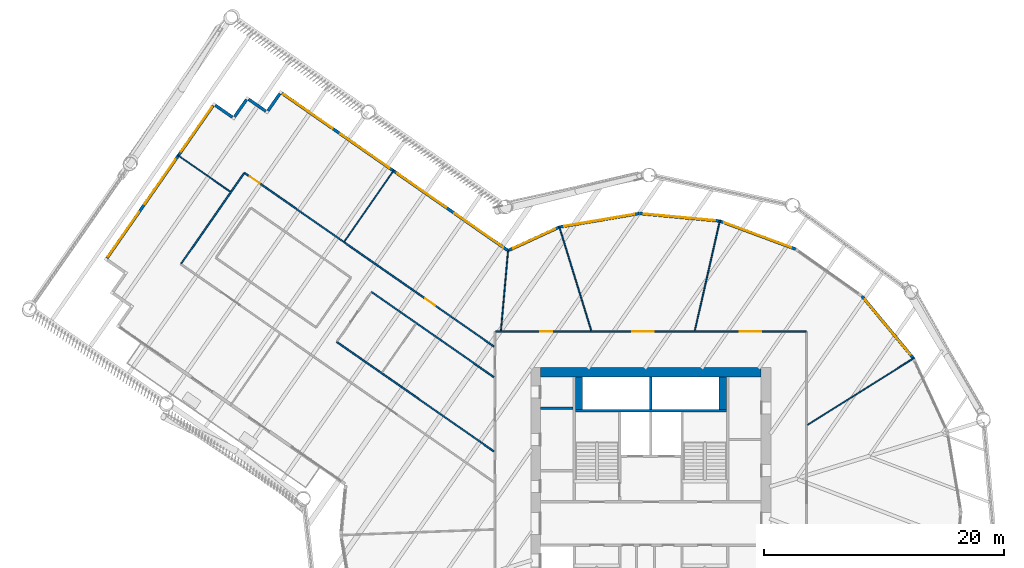
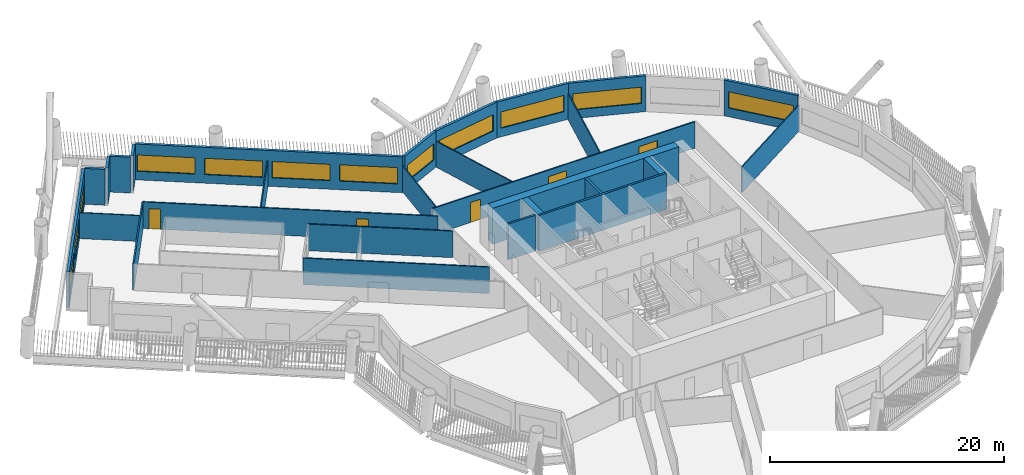
# One storey, part 7 of 23: 28 walls, 12 windows, 5 doors, 17 openings.
"""IFC4 building model written with IfcOpenShell, lengths in metres."""

from ifc_helpers import new_model, si_unit, direction, frame, frame_2d, origin, place, context, subcontext, project, spatial, rectangle, extrude, material, layer, layer_set, type_object, element, fill, save


model = new_model("IFC4")

# Units and contexts
model_context = context("Model", 3, precision=1e-05, world=origin(), true_north=direction((0.0, 1.0)))
body_context = subcontext(model_context, "Body", "Model", "MODEL_VIEW")
ifc_project = project(units=[si_unit("LENGTHUNIT", "METRE"), si_unit("AREAUNIT", "SQUARE_METRE"), si_unit("VOLUMEUNIT", "CUBIC_METRE"), si_unit("PLANEANGLEUNIT", "RADIAN"), si_unit("MASSUNIT", "GRAM", prefix="KILO")], contexts=[model_context])

# Site, building, storey
site_placement = place(None, origin())
site = spatial("IfcSite", under=ifc_project, at=site_placement, CompositionType="ELEMENT")
building_placement = place(site_placement, origin())
building = spatial("IfcBuilding", under=site, at=building_placement, Name="Tarsis Ring Headquarters", CompositionType="ELEMENT")
storey_placement = place(building_placement, frame((0.0, 0.0, 131.800048828125)))
storey = spatial("IfcBuildingStorey", under=building, at=storey_placement, Name="L30", CompositionType="ELEMENT", Elevation=131.800048828125)

# Walls
ifc_material_1 = material(Name="Blockwork", Category="masonry")
ifc_layer_1 = layer(ifc_material_1, 0.199951171875)
ifc_layer_set_1 = layer_set([ifc_layer_1], Name="Core blockwork wall 200")
wall_type_1 = type_object("IfcWallType", Name="Core blockwork wall 200", PredefinedType="PARTITIONING", material=ifc_layer_set_1)
wall_1_placement = place(storey_placement, frame((-9.199951171875, 9.60009765625, 0.0), z_axis=(0.0, 0.0, 1.0), x_axis=(1.0, 0.0, 0.0)))
element("IfcWall", 1, at=wall_1_placement, inside=storey, type_object=wall_type_1, Name="Core partition WD7", PredefinedType="PARTITIONING", context=body_context, shape_type="SweptSolid", body=[
    extrude(rectangle(XDim=2.699951171875, YDim=0.199951171875, at=frame_2d((1.35009765625, 0.0))), origin(), (0.0, 0.0, 1.0), 3.739990234375),
])
ifc_material_2 = material(Name="Concrete C60/75", Category="concrete")
ifc_layer_2 = layer(ifc_material_2, 0.800048828125)
ifc_layer_set_2 = layer_set([ifc_layer_2], Name="Core wall 800 C60/75")
wall_type_2 = type_object("IfcWallType", Name="Core wall 800 C60/75", PredefinedType="SHEAR", material=ifc_layer_set_2)
wall_2_placement = place(storey_placement, frame((-9.199951171875, 12.60009765625, 0.0), z_axis=(0.0, 0.0, 1.0), x_axis=(1.0, 0.0, 0.0)))
element("IfcWall", 2, at=wall_2_placement, inside=storey, type_object=wall_type_2, Name="Core wall ON", PredefinedType="SHEAR", context=body_context, shape_type="SweptSolid", body=[
    extrude(rectangle(XDim=18.39990234375, YDim=0.800048828125, at=frame_2d((9.199951171875, 0.0))), origin(), (0.0, 0.0, 1.0), 3.739990234375),
])
ifc_material_3 = material(Name="Gypsum board on steel studs", Category="steel")
ifc_layer_3 = layer(ifc_material_3, 0.10009765625)
ifc_layer_set_3 = layer_set([ifc_layer_3], Name="FL partition 100 unrated")
wall_type_3 = type_object("IfcWallType", Name="FL partition 100 unrated", PredefinedType="PARTITIONING", material=ifc_layer_set_3)
wall_3_placement = place(storey_placement, frame((13.076171875, 8.2216796875, 0.0), z_axis=(0.0, 0.0, 1.0), x_axis=(0.846557234457, 0.532297706916, 0.0)))
element("IfcWall", 3, at=wall_3_placement, inside=storey, type_object=wall_type_3, Name="Partition PW3", PredefinedType="PARTITIONING", context=body_context, shape_type="SweptSolid", body=[
    extrude(rectangle(XDim=10.501708984375, YDim=0.10009765625, at=frame_2d((5.2509765625, 0.0))), origin(), (0.0, 0.0, 1.0), 2.699951171875),
])
wall_4_placement = place(storey_placement, frame((3.662353515625, 16.068115234375, 0.0), z_axis=(0.0, 0.0, 1.0), x_axis=(0.22222960581, 0.974994360138, 0.0)))
element("IfcWall", 4, at=wall_4_placement, inside=storey, type_object=wall_type_3, Name="Partition PW3", PredefinedType="PARTITIONING", context=body_context, shape_type="SweptSolid", body=[
    extrude(rectangle(XDim=9.4677734375, YDim=0.10009765625, at=frame_2d((4.73388671875, 0.0))), origin(), (0.0, 0.0, 1.0), 2.699951171875),
])
wall_5_placement = place(storey_placement, frame((-7.65576171875, 24.792724609375, 0.0), z_axis=(0.0, 0.0, 1.0), x_axis=(0.295056915452, -0.955479678823, 0.0)))
element("IfcWall", 5, at=wall_5_placement, inside=storey, type_object=wall_type_3, Name="Partition PW3", PredefinedType="PARTITIONING", context=body_context, shape_type="SweptSolid", body=[
    extrude(rectangle(XDim=9.13232421875, YDim=0.10009765625, at=frame_2d((4.566162109375, 0.0))), origin(), (0.0, 0.0, 1.0), 2.699951171875),
])
wall_6_placement = place(storey_placement, frame((-25.5595703125, 23.529296875, 0.0), z_axis=(0.0, 0.0, 1.0), x_axis=(0.571287750688, 0.820749843688, 0.0)))
element("IfcWall", 6, at=wall_6_placement, inside=storey, type_object=wall_type_3, Name="Partition PW3", PredefinedType="PARTITIONING", context=body_context, shape_type="SweptSolid", body=[
    extrude(rectangle(XDim=7.240234375, YDim=0.10009765625, at=frame_2d((3.6201171875, 0.0))), origin(), (0.0, 0.0, 1.0), 2.699951171875),
])
wall_7_placement = place(storey_placement, frame((-12.503662109375, 16.069580078125, 0.0), z_axis=(0.0, 0.0, 1.0), x_axis=(0.088731369508, 0.996055592859, 0.0)))
element("IfcWall", 7, at=wall_7_placement, inside=storey, type_object=wall_type_3, Name="Partition PW3", PredefinedType="PARTITIONING", context=body_context, shape_type="SweptSolid", body=[
    extrude(rectangle(XDim=6.771240234375, YDim=0.10009765625, at=frame_2d((3.3857421875, 0.0))), origin(), (0.0, 0.0, 1.0), 2.699951171875),
])
wall_8_placement = place(storey_placement, frame((-39.47119140625, 30.727294921875, 0.0), z_axis=(0.0, 0.0, 1.0), x_axis=(0.820755427512, -0.571279728512, 0.0)))
element("IfcWall", 8, at=wall_8_placement, inside=storey, type_object=wall_type_3, Name="Partition PW3", PredefinedType="PARTITIONING", context=body_context, shape_type="SweptSolid", body=[
    extrude(rectangle(XDim=5.35009765625, YDim=0.10009765625, at=frame_2d((2.675048828125, 0.0))), origin(), (0.0, 0.0, 1.0), 2.699951171875),
])

# Wall, openings, doors
ifc_layer_4 = layer(ifc_material_3, 0.125)
ifc_layer_set_4 = layer_set([ifc_layer_4], Name="FL partition 125 EI 60 H2770")
wall_type_4 = type_object("IfcWallType", Name="FL partition 125 EI 60 H2770", PredefinedType="PARTITIONING", material=ifc_layer_set_4)
wall_9_placement = place(storey_placement, frame((-12.93994140625, 16.0, 0.0), z_axis=(0.0, 0.0, 1.0), x_axis=(1.0, 0.0, 0.0)))
wall_9 = element("IfcWall", 9, at=wall_9_placement, inside=storey, type_object=wall_type_4, Name="Partition PW1", PredefinedType="PARTITIONING", context=body_context, shape_type="SweptSolid", body=[
    extrude(rectangle(XDim=25.8798828125, YDim=0.125, at=frame_2d((12.93994140625, 0.0))), origin(), (0.0, 0.0, 1.0), 2.77001953125),
])
opening_1_placement = place(wall_9_placement, frame((3.71337890625, 0.0, 0.0)))
opening_1 = element("IfcOpeningElement", 10, at=opening_1_placement, cuts=wall_9, Name="Opening D30.04", PredefinedType="OPENING", context=body_context, shape_type="SweptSolid", body=[
    extrude(rectangle(XDim=1.0, YDim=2.10009765625, at=frame_2d((0.5, 1.050048828125))), frame((0.0, 0.072509765625, 0.0), z_axis=(0.0, -1.0, 0.0), x_axis=(1.0, 0.0, 0.0)), (0.0, 0.0, 1.0), 0.14501953125),
])
opening_2_placement = place(wall_9_placement, frame((11.39306640625, 0.0, 0.0)))
opening_2 = element("IfcOpeningElement", 11, at=opening_2_placement, cuts=wall_9, Name="Opening D30.05", PredefinedType="OPENING", context=body_context, shape_type="SweptSolid", body=[
    extrude(rectangle(XDim=1.800048828125, YDim=2.10009765625, at=frame_2d((0.89990234375, 1.050048828125))), frame((0.0, 0.072509765625, 0.0), z_axis=(0.0, -1.0, 0.0), x_axis=(1.0, 0.0, 0.0)), (0.0, 0.0, 1.0), 0.14501953125),
])
opening_3_placement = place(wall_9_placement, frame((20.36328125, 0.0, 0.0)))
opening_3 = element("IfcOpeningElement", 12, at=opening_3_placement, cuts=wall_9, Name="Opening D30.06", PredefinedType="OPENING", context=body_context, shape_type="SweptSolid", body=[
    extrude(rectangle(XDim=1.800048828125, YDim=2.10009765625, at=frame_2d((0.89990234375, 1.050048828125))), frame((0.0, 0.072509765625, 0.0), z_axis=(0.0, -1.0, 0.0), x_axis=(1.0, 0.0, 0.0)), (0.0, 0.0, 1.0), 0.14501953125),
])
ifc_material_4 = material(Name="Fire-rated timber door leaf in steel frame", Category="steel")
door_type_1 = type_object("IfcDoorType", Name="FL door FD60-1000", OperationType="NOTDEFINED", PredefinedType="DOOR", material=ifc_material_4)
door_1_placement = place(opening_1_placement, origin())
door_1 = element("IfcDoor", 13, at=door_1_placement, inside=storey, type_object=door_type_1, Name="Door D30.04", OperationType="SINGLE_SWING_RIGHT", OverallHeight=2.10009765625, OverallWidth=1.0, PredefinedType="DOOR", context=body_context, shape_type="SweptSolid", body=[
    extrude(rectangle(XDim=1.0, YDim=2.10009765625, at=frame_2d((0.5, 1.050048828125))), frame((0.0, 0.02490234375, 0.0), z_axis=(0.0, -1.0, 0.0), x_axis=(1.0, 0.0, 0.0)), (0.0, 0.0, 1.0), 0.050048828125),
])
fill(opening_1, door_1)
door_type_2 = type_object("IfcDoorType", Name="FL door FD60-1800", OperationType="DOUBLE_DOOR_SINGLE_SWING", PredefinedType="DOOR", material=ifc_material_4)
door_2_placement = place(opening_2_placement, origin())
door_2 = element("IfcDoor", 14, at=door_2_placement, inside=storey, type_object=door_type_2, Name="Door D30.05", OperationType="DOUBLE_DOOR_SINGLE_SWING", OverallHeight=2.10009765625, OverallWidth=1.800048828125, PredefinedType="DOOR", context=body_context, shape_type="SweptSolid", body=[
    extrude(rectangle(XDim=1.800048828125, YDim=2.10009765625, at=frame_2d((0.89990234375, 1.050048828125))), frame((0.0, 0.02490234375, 0.0), z_axis=(0.0, -1.0, 0.0), x_axis=(1.0, 0.0, 0.0)), (0.0, 0.0, 1.0), 0.050048828125),
])
fill(opening_2, door_2)
door_3_placement = place(opening_3_placement, origin())
door_3 = element("IfcDoor", 15, at=door_3_placement, inside=storey, type_object=door_type_2, Name="Door D30.06", OperationType="DOUBLE_DOOR_SINGLE_SWING", OverallHeight=2.10009765625, OverallWidth=1.800048828125, PredefinedType="DOOR", context=body_context, shape_type="SweptSolid", body=[
    extrude(rectangle(XDim=1.800048828125, YDim=2.10009765625, at=frame_2d((0.89990234375, 1.050048828125))), frame((0.0, 0.02490234375, 0.0), z_axis=(0.0, -1.0, 0.0), x_axis=(1.0, 0.0, 0.0)), (0.0, 0.0, 1.0), 0.050048828125),
])
fill(opening_3, door_3)

wall_10_placement = place(storey_placement, frame((-33.897216796875, 29.247802734375, 0.0), z_axis=(0.0, 0.0, 1.0), x_axis=(0.820746962574, -0.571291889866, 0.0)))
wall_10 = element("IfcWall", 16, at=wall_10_placement, inside=storey, type_object=wall_type_4, Name="Partition PW1", PredefinedType="PARTITIONING", context=body_context, shape_type="SweptSolid", body=[
    extrude(rectangle(XDim=25.35107421875, YDim=0.125, at=frame_2d((12.675537109375, 0.0))), origin(), (0.0, 0.0, 1.0), 2.77001953125),
])
opening_4_placement = place(wall_10_placement, frame((0.550048828125, 0.0, 0.0)))
opening_4 = element("IfcOpeningElement", 17, at=opening_4_placement, cuts=wall_10, Name="Opening D30.02", PredefinedType="OPENING", context=body_context, shape_type="SweptSolid", body=[
    extrude(rectangle(XDim=1.0, YDim=2.10009765625, at=frame_2d((0.5, 1.050048828125))), frame((0.0, 0.072509765625, 0.0), z_axis=(0.0, -1.0, 0.0), x_axis=(1.0, 0.0, 0.0)), (0.0, 0.0, 1.0), 0.14501953125),
])
opening_5_placement = place(wall_10_placement, frame((18.37060546875, 0.0, 0.0)))
opening_5 = element("IfcOpeningElement", 18, at=opening_5_placement, cuts=wall_10, Name="Opening D30.03", PredefinedType="OPENING", context=body_context, shape_type="SweptSolid", body=[
    extrude(rectangle(XDim=1.0, YDim=2.10009765625, at=frame_2d((0.5, 1.050048828125))), frame((0.0, 0.072509765625, 0.0), z_axis=(0.0, -1.0, 0.0), x_axis=(1.0, 0.0, 0.0)), (0.0, 0.0, 1.0), 0.14501953125),
])
door_4_placement = place(opening_4_placement, origin())
door_4 = element("IfcDoor", 19, at=door_4_placement, inside=storey, type_object=door_type_1, Name="Door D30.02", OperationType="SINGLE_SWING_RIGHT", OverallHeight=2.10009765625, OverallWidth=1.0, PredefinedType="DOOR", context=body_context, shape_type="SweptSolid", body=[
    extrude(rectangle(XDim=1.0, YDim=2.10009765625, at=frame_2d((0.5, 1.050048828125))), frame((0.0, 0.02490234375, 0.0), z_axis=(0.0, -1.0, 0.0), x_axis=(1.0, 0.0, 0.0)), (0.0, 0.0, 1.0), 0.050048828125),
])
fill(opening_4, door_4)
door_5_placement = place(opening_5_placement, origin())
door_5 = element("IfcDoor", 20, at=door_5_placement, inside=storey, type_object=door_type_1, Name="Door D30.03", OperationType="SINGLE_SWING_LEFT", OverallHeight=2.10009765625, OverallWidth=1.0, PredefinedType="DOOR", context=body_context, shape_type="SweptSolid", body=[
    extrude(rectangle(XDim=1.0, YDim=2.10009765625, at=frame_2d((0.5, 1.050048828125))), frame((0.0, 0.02490234375, 0.0), z_axis=(0.0, -1.0, 0.0), x_axis=(1.0, 0.0, 0.0)), (0.0, 0.0, 1.0), 0.050048828125),
])
fill(opening_5, door_5)

# Walls
wall_11_placement = place(storey_placement, frame((-26.19677734375, 15.1396484375, 0.0), z_axis=(0.0, 0.0, 1.0), x_axis=(0.820750299601, -0.571287095693, 0.0)))
element("IfcWall", 21, at=wall_11_placement, inside=storey, type_object=wall_type_4, Name="Partition PW1", PredefinedType="PARTITIONING", context=body_context, shape_type="SweptSolid", body=[
    extrude(rectangle(XDim=15.96875, YDim=0.125, at=frame_2d((7.984375, 0.0))), origin(), (0.0, 0.0, 1.0), 2.77001953125),
])
wall_12_placement = place(storey_placement, frame((-23.294677734375, 19.30908203125, 0.0), z_axis=(0.0, 0.0, 1.0), x_axis=(0.82075028022, -0.571287123536, 0.0)))
element("IfcWall", 22, at=wall_12_placement, inside=storey, type_object=wall_type_4, Name="Partition PW1", PredefinedType="PARTITIONING", context=body_context, shape_type="SweptSolid", body=[
    extrude(rectangle(XDim=12.432861328125, YDim=0.125, at=frame_2d((6.21630859375, 0.0))), origin(), (0.0, 0.0, 1.0), 2.77001953125),
])
wall_13_placement = place(storey_placement, frame((-39.16455078125, 21.680419921875, 0.0), z_axis=(0.0, 0.0, 1.0), x_axis=(0.57129951738, 0.820741653287, 0.0)))
element("IfcWall", 23, at=wall_13_placement, inside=storey, type_object=wall_type_4, Name="Partition PW1", PredefinedType="PARTITIONING", context=body_context, shape_type="SweptSolid", body=[
    extrude(rectangle(XDim=9.16015625, YDim=0.125, at=frame_2d((4.580078125, 0.0))), origin(), (0.0, 0.0, 1.0), 2.77001953125),
])

# Wall, opening, window
ifc_material_5 = material(Name="Terracotta clad insulated panel wall", Category="masonry")
ifc_layer_5 = layer(ifc_material_5, 0.25)
ifc_layer_set_5 = layer_set([ifc_layer_5], Name="Facade wall terracotta panel 250")
wall_type_5 = type_object("IfcWallType", Name="Facade wall terracotta panel 250", PredefinedType="STANDARD", material=ifc_layer_set_5)
wall_14_placement = place(storey_placement, frame((21.8935546875, 13.784912109375, 0.0), z_axis=(0.0, 0.0, 1.0), x_axis=(-0.638242430019, 0.769835437301, 0.0)))
wall_14 = element("IfcWall", 24, at=wall_14_placement, inside=storey, type_object=wall_type_5, Name="External wall L30-25", PredefinedType="STANDARD", context=body_context, shape_type="SweptSolid", body=[
    extrude(rectangle(XDim=6.7216796875, YDim=0.25, at=frame_2d((3.36083984375, 0.0))), origin(), (0.0, 0.0, 1.0), 3.739990234375),
])
opening_6_placement = place(wall_14_placement, frame((0.3857421875, 0.0, 0.89990234375)))
opening_6 = element("IfcOpeningElement", 25, at=opening_6_placement, cuts=wall_14, Name="Opening WN07", PredefinedType="OPENING", context=body_context, shape_type="SweptSolid", body=[
    extrude(rectangle(XDim=5.949951171875, YDim=1.699951171875, at=frame_2d((2.97509765625, 0.85009765625))), frame((0.0, 0.135009765625, 0.0), z_axis=(0.0, -1.0, 0.0), x_axis=(1.0, 0.0, 0.0)), (0.0, 0.0, 1.0), 0.27001953125),
])
ifc_material_6 = material(Name="Aluminium framed double glazing", Category="aluminium")
window_type_1 = type_object("IfcWindowType", Name="Facade window 5950 x 1700", PartitioningType="SINGLE_PANEL", PredefinedType="WINDOW", material=ifc_material_6)
window_1_placement = place(opening_6_placement, origin())
window_1 = element("IfcWindow", 26, at=window_1_placement, inside=storey, type_object=window_type_1, Name="Window L30-25.1", OverallHeight=1.699951171875, OverallWidth=5.949951171875, PartitioningType="SINGLE_PANEL", PredefinedType="WINDOW", context=body_context, shape_type="SweptSolid", body=[
    extrude(rectangle(XDim=5.949951171875, YDim=1.699951171875, at=frame_2d((2.97509765625, 0.85009765625))), frame((0.0, 0.030029296875, 0.0), z_axis=(0.0, -1.0, 0.0), x_axis=(1.0, 0.0, 0.0)), (0.0, 0.0, 1.0), 0.06005859375),
])
fill(opening_6, window_1)

wall_15_placement = place(storey_placement, frame((12.06787109375, 22.884765625, 0.0), z_axis=(0.0, 0.0, 1.0), x_axis=(-0.937643564577, 0.347598253457, 0.0)))
wall_15 = element("IfcWall", 27, at=wall_15_placement, inside=storey, type_object=wall_type_5, Name="External wall L30-27", PredefinedType="STANDARD", context=body_context, shape_type="SweptSolid", body=[
    extrude(rectangle(XDim=6.7216796875, YDim=0.25, at=frame_2d((3.36083984375, 0.0))), origin(), (0.0, 0.0, 1.0), 3.739990234375),
])
opening_7_placement = place(wall_15_placement, frame((0.3857421875, 0.0, 0.89990234375)))
opening_7 = element("IfcOpeningElement", 28, at=opening_7_placement, cuts=wall_15, Name="Opening WN07", PredefinedType="OPENING", context=body_context, shape_type="SweptSolid", body=[
    extrude(rectangle(XDim=5.949951171875, YDim=1.699951171875, at=frame_2d((2.97509765625, 0.85009765625))), frame((0.0, 0.135009765625, 0.0), z_axis=(0.0, -1.0, 0.0), x_axis=(1.0, 0.0, 0.0)), (0.0, 0.0, 1.0), 0.27001953125),
])
window_2_placement = place(opening_7_placement, origin())
window_2 = element("IfcWindow", 29, at=window_2_placement, inside=storey, type_object=window_type_1, Name="Window L30-27.1", OverallHeight=1.699951171875, OverallWidth=5.949951171875, PartitioningType="SINGLE_PANEL", PredefinedType="WINDOW", context=body_context, shape_type="SweptSolid", body=[
    extrude(rectangle(XDim=5.949951171875, YDim=1.699951171875, at=frame_2d((2.97509765625, 0.85009765625))), frame((0.0, 0.030029296875, 0.0), z_axis=(0.0, -1.0, 0.0), x_axis=(1.0, 0.0, 0.0)), (0.0, 0.0, 1.0), 0.06005859375),
])
fill(opening_7, window_2)

wall_16_placement = place(storey_placement, frame((5.733642578125, 25.228515625, 0.0), z_axis=(0.0, 0.0, 1.0), x_axis=(-0.995660767959, 0.093057160642, 0.0)))
wall_16 = element("IfcWall", 30, at=wall_16_placement, inside=storey, type_object=wall_type_5, Name="External wall L30-28", PredefinedType="STANDARD", context=body_context, shape_type="SweptSolid", body=[
    extrude(rectangle(XDim=6.721435546875, YDim=0.25, at=frame_2d((3.36083984375, 0.0))), origin(), (0.0, 0.0, 1.0), 3.739990234375),
])
opening_8_placement = place(wall_16_placement, frame((0.3857421875, 0.0, 0.89990234375)))
opening_8 = element("IfcOpeningElement", 31, at=opening_8_placement, cuts=wall_16, Name="Opening WN07", PredefinedType="OPENING", context=body_context, shape_type="SweptSolid", body=[
    extrude(rectangle(XDim=5.949951171875, YDim=1.699951171875, at=frame_2d((2.97509765625, 0.85009765625))), frame((0.0, 0.135009765625, 0.0), z_axis=(0.0, -1.0, 0.0), x_axis=(1.0, 0.0, 0.0)), (0.0, 0.0, 1.0), 0.27001953125),
])
window_3_placement = place(opening_8_placement, origin())
window_3 = element("IfcWindow", 32, at=window_3_placement, inside=storey, type_object=window_type_1, Name="Window L30-28.1", OverallHeight=1.699951171875, OverallWidth=5.949951171875, PartitioningType="SINGLE_PANEL", PredefinedType="WINDOW", context=body_context, shape_type="SweptSolid", body=[
    extrude(rectangle(XDim=5.949951171875, YDim=1.699951171875, at=frame_2d((2.97509765625, 0.85009765625))), frame((0.0, 0.030029296875, 0.0), z_axis=(0.0, -1.0, 0.0), x_axis=(1.0, 0.0, 0.0)), (0.0, 0.0, 1.0), 0.06005859375),
])
fill(opening_8, window_3)

wall_17_placement = place(storey_placement, frame((-0.991455078125, 25.852783203125, 0.0), z_axis=(0.0, 0.0, 1.0), x_axis=(-0.985819635679, -0.167808360666, 0.0)))
wall_17 = element("IfcWall", 33, at=wall_17_placement, inside=storey, type_object=wall_type_5, Name="External wall L30-29", PredefinedType="STANDARD", context=body_context, shape_type="SweptSolid", body=[
    extrude(rectangle(XDim=6.721435546875, YDim=0.25, at=frame_2d((3.36083984375, 0.0))), origin(), (0.0, 0.0, 1.0), 3.739990234375),
])
opening_9_placement = place(wall_17_placement, frame((0.3857421875, 0.0, 0.89990234375)))
opening_9 = element("IfcOpeningElement", 34, at=opening_9_placement, cuts=wall_17, Name="Opening WN07", PredefinedType="OPENING", context=body_context, shape_type="SweptSolid", body=[
    extrude(rectangle(XDim=5.949951171875, YDim=1.699951171875, at=frame_2d((2.97509765625, 0.85009765625))), frame((0.0, 0.135009765625, 0.0), z_axis=(0.0, -1.0, 0.0), x_axis=(1.0, 0.0, 0.0)), (0.0, 0.0, 1.0), 0.27001953125),
])
window_4_placement = place(opening_9_placement, origin())
window_4 = element("IfcWindow", 35, at=window_4_placement, inside=storey, type_object=window_type_1, Name="Window L30-29.1", OverallHeight=1.699951171875, OverallWidth=5.949951171875, PartitioningType="SINGLE_PANEL", PredefinedType="WINDOW", context=body_context, shape_type="SweptSolid", body=[
    extrude(rectangle(XDim=5.949951171875, YDim=1.699951171875, at=frame_2d((2.97509765625, 0.85009765625))), frame((0.0, 0.030029296875, 0.0), z_axis=(0.0, -1.0, 0.0), x_axis=(1.0, 0.0, 0.0)), (0.0, 0.0, 1.0), 0.06005859375),
])
fill(opening_9, window_4)

wall_18_placement = place(storey_placement, frame((-7.64892578125, 24.71533203125, 0.0), z_axis=(0.0, 0.0, 1.0), x_axis=(-0.908790108874, -0.417253565608, 0.0)))
wall_18 = element("IfcWall", 36, at=wall_18_placement, inside=storey, type_object=wall_type_5, Name="External wall L30-30", PredefinedType="STANDARD", context=body_context, shape_type="SweptSolid", body=[
    extrude(rectangle(XDim=4.61767578125, YDim=0.25, at=frame_2d((2.308837890625, 0.0))), origin(), (0.0, 0.0, 1.0), 3.739990234375),
])
opening_10_placement = place(wall_18_placement, frame((0.367431640625, 0.0, 0.89990234375)))
opening_10 = element("IfcOpeningElement", 37, at=opening_10_placement, cuts=wall_18, Name="Opening WN02", PredefinedType="OPENING", context=body_context, shape_type="SweptSolid", body=[
    extrude(rectangle(XDim=3.85009765625, YDim=1.699951171875, at=frame_2d((1.925048828125, 0.85009765625))), frame((0.0, 0.135009765625, 0.0), z_axis=(0.0, -1.0, 0.0), x_axis=(1.0, 0.0, 0.0)), (0.0, 0.0, 1.0), 0.27001953125),
])
window_type_2 = type_object("IfcWindowType", Name="Facade window 3850 x 1700", PartitioningType="SINGLE_PANEL", PredefinedType="WINDOW", material=ifc_material_6)
window_5_placement = place(opening_10_placement, origin())
window_5 = element("IfcWindow", 38, at=window_5_placement, inside=storey, type_object=window_type_2, Name="Window L30-30.1", OverallHeight=1.699951171875, OverallWidth=3.85009765625, PartitioningType="SINGLE_PANEL", PredefinedType="WINDOW", context=body_context, shape_type="SweptSolid", body=[
    extrude(rectangle(XDim=3.85009765625, YDim=1.699951171875, at=frame_2d((1.925048828125, 0.85009765625))), frame((0.0, 0.030029296875, 0.0), z_axis=(0.0, -1.0, 0.0), x_axis=(1.0, 0.0, 0.0)), (0.0, 0.0, 1.0), 0.06005859375),
])
fill(opening_10, window_5)

# Wall, openings, windows
wall_19_placement = place(storey_placement, frame((-11.968994140625, 22.799560546875, 0.0), z_axis=(0.0, 0.0, 1.0), x_axis=(-0.820751552306, 0.571285295967, 0.0)))
wall_19 = element("IfcWall", 39, at=wall_19_placement, inside=storey, type_object=wall_type_5, Name="External wall L30-31", PredefinedType="STANDARD", context=body_context, shape_type="SweptSolid", body=[
    extrude(rectangle(XDim=22.9013671875, YDim=0.25, at=frame_2d((11.45068359375, 0.0))), origin(), (0.0, 0.0, 1.0), 3.739990234375),
])
opening_11_placement = place(wall_19_placement, frame((0.4189453125, 0.0, 0.89990234375)))
opening_11 = element("IfcOpeningElement", 40, at=opening_11_placement, cuts=wall_19, Name="Opening WN05", PredefinedType="OPENING", context=body_context, shape_type="SweptSolid", body=[
    extrude(rectangle(XDim=4.949951171875, YDim=1.699951171875, at=frame_2d((2.47509765625, 0.85009765625))), frame((0.0, 0.135009765625, 0.0), z_axis=(0.0, -1.0, 0.0), x_axis=(1.0, 0.0, 0.0)), (0.0, 0.0, 1.0), 0.27001953125),
])
opening_12_placement = place(wall_19_placement, frame((6.206787109375, 0.0, 0.89990234375)))
opening_12 = element("IfcOpeningElement", 41, at=opening_12_placement, cuts=wall_19, Name="Opening WN05", PredefinedType="OPENING", context=body_context, shape_type="SweptSolid", body=[
    extrude(rectangle(XDim=4.949951171875, YDim=1.699951171875, at=frame_2d((2.47509765625, 0.85009765625))), frame((0.0, 0.135009765625, 0.0), z_axis=(0.0, -1.0, 0.0), x_axis=(1.0, 0.0, 0.0)), (0.0, 0.0, 1.0), 0.27001953125),
])
opening_13_placement = place(wall_19_placement, frame((11.99462890625, 0.0, 0.89990234375)))
opening_13 = element("IfcOpeningElement", 42, at=opening_13_placement, cuts=wall_19, Name="Opening WN05", PredefinedType="OPENING", context=body_context, shape_type="SweptSolid", body=[
    extrude(rectangle(XDim=4.949951171875, YDim=1.699951171875, at=frame_2d((2.47509765625, 0.85009765625))), frame((0.0, 0.135009765625, 0.0), z_axis=(0.0, -1.0, 0.0), x_axis=(1.0, 0.0, 0.0)), (0.0, 0.0, 1.0), 0.27001953125),
])
opening_14_placement = place(wall_19_placement, frame((17.782470703125, 0.0, 0.89990234375)))
opening_14 = element("IfcOpeningElement", 43, at=opening_14_placement, cuts=wall_19, Name="Opening WN05", PredefinedType="OPENING", context=body_context, shape_type="SweptSolid", body=[
    extrude(rectangle(XDim=4.949951171875, YDim=1.699951171875, at=frame_2d((2.47509765625, 0.85009765625))), frame((0.0, 0.135009765625, 0.0), z_axis=(0.0, -1.0, 0.0), x_axis=(1.0, 0.0, 0.0)), (0.0, 0.0, 1.0), 0.27001953125),
])
window_type_3 = type_object("IfcWindowType", Name="Facade window 4950 x 1700", PartitioningType="SINGLE_PANEL", PredefinedType="WINDOW", material=ifc_material_6)
window_6_placement = place(opening_11_placement, origin())
window_6 = element("IfcWindow", 44, at=window_6_placement, inside=storey, type_object=window_type_3, Name="Window L30-31.1", OverallHeight=1.699951171875, OverallWidth=4.949951171875, PartitioningType="SINGLE_PANEL", PredefinedType="WINDOW", context=body_context, shape_type="SweptSolid", body=[
    extrude(rectangle(XDim=4.949951171875, YDim=1.699951171875, at=frame_2d((2.47509765625, 0.85009765625))), frame((0.0, 0.030029296875, 0.0), z_axis=(0.0, -1.0, 0.0), x_axis=(1.0, 0.0, 0.0)), (0.0, 0.0, 1.0), 0.06005859375),
])
fill(opening_11, window_6)
window_7_placement = place(opening_12_placement, origin())
window_7 = element("IfcWindow", 45, at=window_7_placement, inside=storey, type_object=window_type_3, Name="Window L30-31.2", OverallHeight=1.699951171875, OverallWidth=4.949951171875, PartitioningType="SINGLE_PANEL", PredefinedType="WINDOW", context=body_context, shape_type="SweptSolid", body=[
    extrude(rectangle(XDim=4.949951171875, YDim=1.699951171875, at=frame_2d((2.47509765625, 0.85009765625))), frame((0.0, 0.030029296875, 0.0), z_axis=(0.0, -1.0, 0.0), x_axis=(1.0, 0.0, 0.0)), (0.0, 0.0, 1.0), 0.06005859375),
])
fill(opening_12, window_7)
window_8_placement = place(opening_13_placement, origin())
window_8 = element("IfcWindow", 46, at=window_8_placement, inside=storey, type_object=window_type_3, Name="Window L30-31.3", OverallHeight=1.699951171875, OverallWidth=4.949951171875, PartitioningType="SINGLE_PANEL", PredefinedType="WINDOW", context=body_context, shape_type="SweptSolid", body=[
    extrude(rectangle(XDim=4.949951171875, YDim=1.699951171875, at=frame_2d((2.47509765625, 0.85009765625))), frame((0.0, 0.030029296875, 0.0), z_axis=(0.0, -1.0, 0.0), x_axis=(1.0, 0.0, 0.0)), (0.0, 0.0, 1.0), 0.06005859375),
])
fill(opening_13, window_8)
window_9_placement = place(opening_14_placement, origin())
window_9 = element("IfcWindow", 47, at=window_9_placement, inside=storey, type_object=window_type_3, Name="Window L30-31.4", OverallHeight=1.699951171875, OverallWidth=4.949951171875, PartitioningType="SINGLE_PANEL", PredefinedType="WINDOW", context=body_context, shape_type="SweptSolid", body=[
    extrude(rectangle(XDim=4.949951171875, YDim=1.699951171875, at=frame_2d((2.47509765625, 0.85009765625))), frame((0.0, 0.030029296875, 0.0), z_axis=(0.0, -1.0, 0.0), x_axis=(1.0, 0.0, 0.0)), (0.0, 0.0, 1.0), 0.06005859375),
])
fill(opening_14, window_9)

# Walls
for number, where, z_axis, x_axis, name in (
    (48, (-30.939208984375, 35.8515625, 0.0), (0.0, 0.0, 1.0), (-0.571297457418, -0.820743087177, 0.0), "External wall L30-32"),
    (49, (-32.113037109375, 34.384033203125, 0.0), (0.0, 0.0, 1.0), (-0.820743087177, 0.571297457418, 0.0), "External wall L30-33"),
):
    element("IfcWall", number, at=place(storey_placement, frame(where, z_axis=z_axis, x_axis=x_axis)), inside=storey, type_object=wall_type_5, Name=name, PredefinedType="STANDARD", context=body_context, shape_type="SweptSolid", body=[
        extrude(rectangle(XDim=1.75, YDim=0.25, at=frame_2d((0.875, 0.0))), origin(), (0.0, 0.0, 1.0), 3.739990234375),
    ])
wall_20_placement = place(storey_placement, frame((-33.723388671875, 35.352783203125, 0.0), z_axis=(0.0, 0.0, 1.0), x_axis=(-0.571232048008, -0.82078861306, 0.0)))
element("IfcWall", 50, at=wall_20_placement, inside=storey, type_object=wall_type_5, Name="External wall L30-34", PredefinedType="STANDARD", context=body_context, shape_type="SweptSolid", body=[
    extrude(rectangle(XDim=1.750244140625, YDim=0.25, at=frame_2d((0.875, 0.0))), origin(), (0.0, 0.0, 1.0), 3.739990234375),
])
wall_21_placement = place(storey_placement, frame((-34.897216796875, 33.88525390625, 0.0), z_axis=(0.0, 0.0, 1.0), x_axis=(-0.820743087177, 0.571297457418, 0.0)))
element("IfcWall", 51, at=wall_21_placement, inside=storey, type_object=wall_type_5, Name="External wall L30-35", PredefinedType="STANDARD", context=body_context, shape_type="SweptSolid", body=[
    extrude(rectangle(XDim=1.75, YDim=0.25, at=frame_2d((0.875, 0.0))), origin(), (0.0, 0.0, 1.0), 3.739990234375),
])

# Wall, openings, windows
wall_22_placement = place(storey_placement, frame((-36.507568359375, 34.853759765625, 0.0), z_axis=(0.0, 0.0, 1.0), x_axis=(-0.57127629627, -0.820757816484, 0.0)))
wall_22 = element("IfcWall", 52, at=wall_22_placement, inside=storey, type_object=wall_type_5, Name="External wall L30-36", PredefinedType="STANDARD", context=body_context, shape_type="SweptSolid", body=[
    extrude(rectangle(XDim=15.5, YDim=0.25, at=frame_2d((7.75, 0.0))), origin(), (0.0, 0.0, 1.0), 3.739990234375),
])
opening_15_placement = place(wall_22_placement, frame((0.166748046875, 0.0, 0.89990234375)))
opening_15 = element("IfcOpeningElement", 53, at=opening_15_placement, cuts=wall_22, Name="Opening WN04", PredefinedType="OPENING", context=body_context, shape_type="SweptSolid", body=[
    extrude(rectangle(XDim=4.5, YDim=1.699951171875, at=frame_2d((2.25, 0.85009765625))), frame((0.0, 0.135009765625, 0.0), z_axis=(0.0, -1.0, 0.0), x_axis=(1.0, 0.0, 0.0)), (0.0, 0.0, 1.0), 0.27001953125),
])
opening_16_placement = place(wall_22_placement, frame((5.5, 0.0, 0.89990234375)))
opening_16 = element("IfcOpeningElement", 54, at=opening_16_placement, cuts=wall_22, Name="Opening WN04", PredefinedType="OPENING", context=body_context, shape_type="SweptSolid", body=[
    extrude(rectangle(XDim=4.5, YDim=1.699951171875, at=frame_2d((2.25, 0.85009765625))), frame((0.0, 0.135009765625, 0.0), z_axis=(0.0, -1.0, 0.0), x_axis=(1.0, 0.0, 0.0)), (0.0, 0.0, 1.0), 0.27001953125),
])
opening_17_placement = place(wall_22_placement, frame((10.833251953125, 0.0, 0.89990234375)))
opening_17 = element("IfcOpeningElement", 55, at=opening_17_placement, cuts=wall_22, Name="Opening WN04", PredefinedType="OPENING", context=body_context, shape_type="SweptSolid", body=[
    extrude(rectangle(XDim=4.5, YDim=1.699951171875, at=frame_2d((2.25, 0.85009765625))), frame((0.0, 0.135009765625, 0.0), z_axis=(0.0, -1.0, 0.0), x_axis=(1.0, 0.0, 0.0)), (0.0, 0.0, 1.0), 0.27001953125),
])
window_type_4 = type_object("IfcWindowType", Name="Facade window 4500 x 1700", PartitioningType="SINGLE_PANEL", PredefinedType="WINDOW", material=ifc_material_6)
window_10_placement = place(opening_15_placement, origin())
window_10 = element("IfcWindow", 56, at=window_10_placement, inside=storey, type_object=window_type_4, Name="Window L30-36.1", OverallHeight=1.699951171875, OverallWidth=4.5, PartitioningType="SINGLE_PANEL", PredefinedType="WINDOW", context=body_context, shape_type="SweptSolid", body=[
    extrude(rectangle(XDim=4.5, YDim=1.699951171875, at=frame_2d((2.25, 0.85009765625))), frame((0.0, 0.030029296875, 0.0), z_axis=(0.0, -1.0, 0.0), x_axis=(1.0, 0.0, 0.0)), (0.0, 0.0, 1.0), 0.06005859375),
])
fill(opening_15, window_10)
window_11_placement = place(opening_16_placement, origin())
window_11 = element("IfcWindow", 57, at=window_11_placement, inside=storey, type_object=window_type_4, Name="Window L30-36.2", OverallHeight=1.699951171875, OverallWidth=4.5, PartitioningType="SINGLE_PANEL", PredefinedType="WINDOW", context=body_context, shape_type="SweptSolid", body=[
    extrude(rectangle(XDim=4.5, YDim=1.699951171875, at=frame_2d((2.25, 0.85009765625))), frame((0.0, 0.030029296875, 0.0), z_axis=(0.0, -1.0, 0.0), x_axis=(1.0, 0.0, 0.0)), (0.0, 0.0, 1.0), 0.06005859375),
])
fill(opening_16, window_11)
window_12_placement = place(opening_17_placement, origin())
window_12 = element("IfcWindow", 58, at=window_12_placement, inside=storey, type_object=window_type_4, Name="Window L30-36.3", OverallHeight=1.699951171875, OverallWidth=4.5, PartitioningType="SINGLE_PANEL", PredefinedType="WINDOW", context=body_context, shape_type="SweptSolid", body=[
    extrude(rectangle(XDim=4.5, YDim=1.699951171875, at=frame_2d((2.25, 0.85009765625))), frame((0.0, 0.030029296875, 0.0), z_axis=(0.0, -1.0, 0.0), x_axis=(1.0, 0.0, 0.0)), (0.0, 0.0, 1.0), 0.06005859375),
])
fill(opening_17, window_12)

# Walls
ifc_material_7 = material(Name="Concrete C32/40", Category="concrete")
ifc_layer_6 = layer(ifc_material_7, 0.60009765625)
ifc_layer_set_6 = layer_set([ifc_layer_6], Name="Shaft end wall 600 C32/40")
wall_type_6 = type_object("IfcWallType", Name="Shaft end wall 600 C32/40", PredefinedType="SOLIDWALL", material=ifc_layer_set_6)
for number, where, z_axis, x_axis, name in (
    (59, (-6.0, 9.5, 0.0), (0.0, 0.0, 1.0), (0.0, 1.0, 0.0), "Core shaft wall NNE1"),
    (60, (6.0, 9.5, 0.0), (0.0, 0.0, 1.0), (0.0, 1.0, 0.0), "Core shaft wall NNE2"),
):
    element("IfcWall", number, at=place(storey_placement, frame(where, z_axis=z_axis, x_axis=x_axis)), inside=storey, type_object=wall_type_6, Name=name, PredefinedType="SOLIDWALL", context=body_context, shape_type="SweptSolid", body=[
        extrude(rectangle(XDim=2.699951171875, YDim=0.60009765625, at=frame_2d((1.35009765625, 0.0))), origin(), (0.0, 0.0, 1.0), 3.739990234375),
    ])
ifc_layer_7 = layer(ifc_material_7, 0.199951171875)
ifc_layer_set_7 = layer_set([ifc_layer_7], Name="Shaft wall 200 C32/40")
wall_type_7 = type_object("IfcWallType", Name="Shaft wall 200 C32/40", PredefinedType="SOLIDWALL", material=ifc_layer_set_7)
wall_23_placement = place(storey_placement, frame((-6.300048828125, 9.39990234375, 0.0), z_axis=(0.0, 0.0, 1.0), x_axis=(1.0, 0.0, 0.0)))
element("IfcWall", 61, at=wall_23_placement, inside=storey, type_object=wall_type_7, Name="Core shaft wall NB", PredefinedType="SOLIDWALL", context=body_context, shape_type="SweptSolid", body=[
    extrude(rectangle(XDim=12.60009765625, YDim=0.199951171875, at=frame_2d((6.300048828125, 0.0))), origin(), (0.0, 0.0, 1.0), 3.739990234375),
])
wall_24_placement = place(storey_placement, frame((0.0, 9.5, 0.0), z_axis=(0.0, 0.0, 1.0), x_axis=(0.0, 1.0, 0.0)))
element("IfcWall", 62, at=wall_24_placement, inside=storey, type_object=wall_type_7, Name="Core shaft wall ND2", PredefinedType="SOLIDWALL", context=body_context, shape_type="SweptSolid", body=[
    extrude(rectangle(XDim=2.699951171875, YDim=0.199951171875, at=frame_2d((1.35009765625, 0.0))), origin(), (0.0, 0.0, 1.0), 3.739990234375),
])

save(model, "model.ifc")
